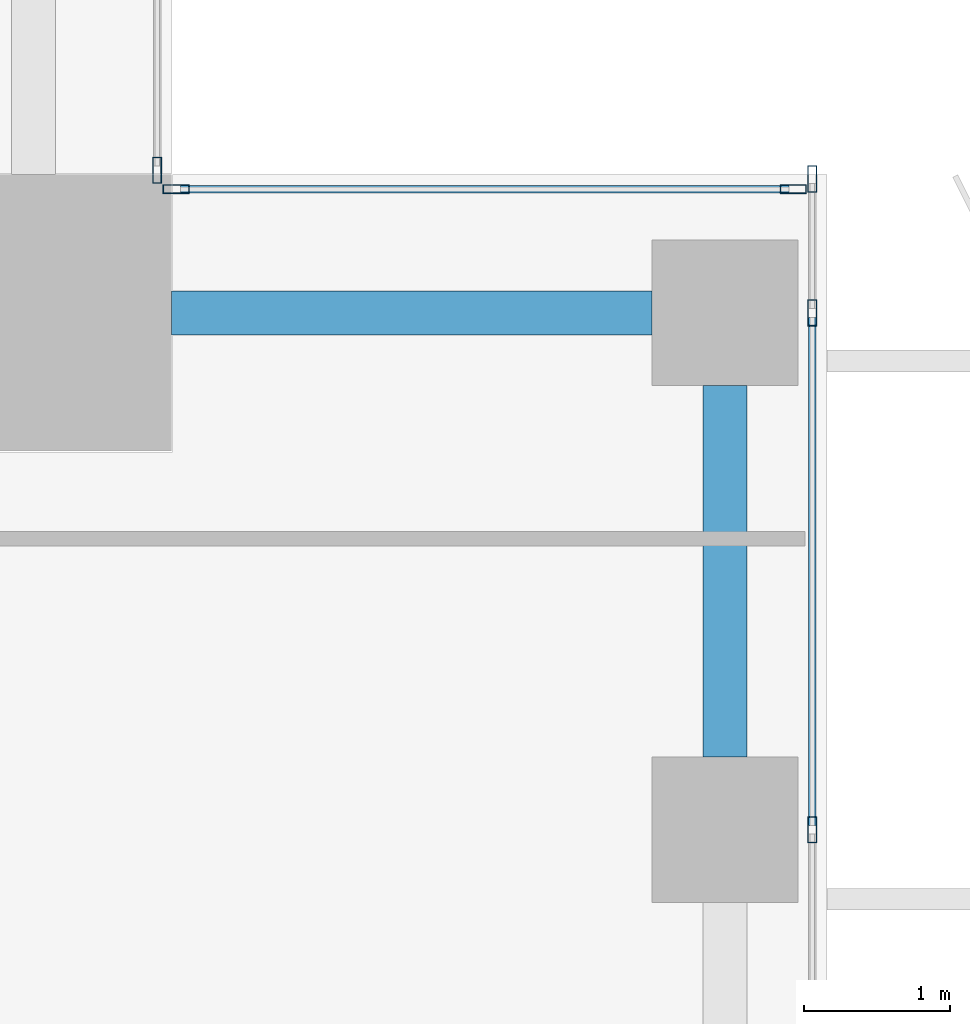
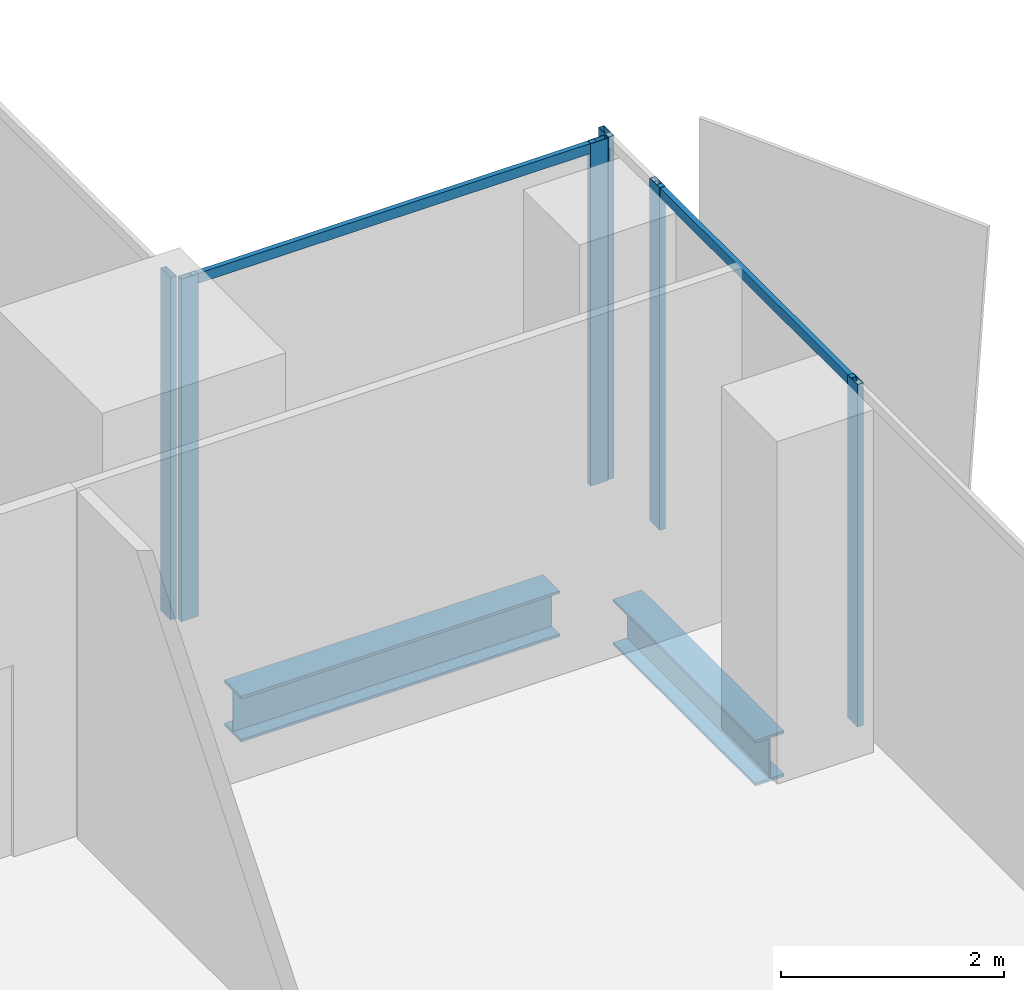
# One storey, part 23 of 38: 8 members, 2 beams, 3 elements without a shape of their own.
"""IFC4 building model written with IfcOpenShell, lengths in metres."""

from ifc_helpers import new_model, si_unit, direction, frame, origin, origin_2d, place, context, subcontext, project, spatial, hollow_rectangle, i_section, extrude, source, transform, mapped, material, material_profile, profile_set, type_object, element, aggregate, save


model = new_model("IFC4")

# Units and contexts
model_context = context("Model", 3, precision=1e-05, world=origin(), true_north=direction((0.0, 1.0)))
body_context = subcontext(model_context, "Body", "Model", "MODEL_VIEW")
ifc_project = project(units=[si_unit("LENGTHUNIT", "METRE"), si_unit("AREAUNIT", "SQUARE_METRE"), si_unit("VOLUMEUNIT", "CUBIC_METRE"), si_unit("PLANEANGLEUNIT", "RADIAN"), si_unit("MASSUNIT", "GRAM", prefix="KILO")], contexts=[model_context])

# Site, building, storey
site_placement = place(None, origin())
site = spatial("IfcSite", under=ifc_project, at=site_placement, CompositionType="ELEMENT")
building_placement = place(site_placement, origin())
building = spatial("IfcBuilding", under=site, at=building_placement, Name="Khomas Fold Tower", CompositionType="ELEMENT")
storey_placement = place(building_placement, frame((0.0, 0.0, 208.699951171875)))
storey = spatial("IfcBuildingStorey", under=building, at=storey_placement, Name="L46", CompositionType="ELEMENT", Elevation=208.699951171875)

# Beams
ifc_material_1 = material(Name="Steel S355", Category="steel")
ifc_material_profile_1 = material_profile(ifc_material_1, i_section(OverallWidth=0.300048828125, OverallDepth=0.5, WebThickness=0.014404296875, FlangeThickness=0.028076171875, at=origin_2d()), Name="HE 500 B")
ifc_profile_set_1 = profile_set([ifc_material_profile_1], Name="Steel S355")
beam_type = type_object("IfcBeamType", Name="HE 500 B spandrel SB3", PredefinedType="SPANDREL", material=ifc_profile_set_1)
shared_shape_1 = source(origin(), body_context, "Body", "SweptSolid", [
    extrude(i_section(OverallWidth=0.300048828125, OverallDepth=0.5, WebThickness=0.014404296875, FlangeThickness=0.028076171875, at=origin_2d()), origin(), (0.0, 0.0, 1.0), 2.550048828125),
])
beam_1_placement = place(storey_placement, frame((50.300048828125, 42.5, -0.5), z_axis=(0.0, 1.0, 0.0), x_axis=(-1.0, 0.0, 0.0)))
element("IfcBeam", 1, at=beam_1_placement, inside=storey, type_object=beam_type, Name="SB3", PredefinedType="SPANDREL", context=body_context, shape_type="MappedRepresentation", body=[
    mapped(shared_shape_1, transform((0.0, 0.0, 0.0))),
])
shared_shape_2 = source(origin(), body_context, "Body", "SweptSolid", [
    extrude(i_section(OverallWidth=0.300048828125, OverallDepth=0.5, WebThickness=0.014404296875, FlangeThickness=0.028076171875, at=origin_2d()), origin(), (0.0, 0.0, 1.0), 3.300048828125),
])
beam_2_placement = place(storey_placement, frame((46.5, 45.550048828125, -0.5), z_axis=(1.0, 0.0, 0.0), x_axis=(0.0, 1.0, 0.0)))
element("IfcBeam", 2, at=beam_2_placement, inside=storey, type_object=beam_type, Name="SB3", PredefinedType="SPANDREL", context=body_context, shape_type="MappedRepresentation", body=[
    mapped(shared_shape_2, transform((0.0, 0.0, 0.0))),
])

# Curtain wall, members
ifc_material_2 = material(Name="Aluminium framed double glazing", Category="aluminium")
curtain_wall_type = type_object("IfcCurtainWallType", Name="SK-Unitised clear-glass wall, office floors CW2", PredefinedType="NOTDEFINED", material=ifc_material_2)
curtain_wall_1_placement = place(storey_placement, origin())
curtain_wall_1 = element("IfcCurtainWall", 3, at=curtain_wall_1_placement, inside=storey, type_object=curtain_wall_type, Name="CW2 run L46 03-0", PredefinedType="NOTDEFINED")
ifc_material_3 = material(Name="Aluminium", Category="aluminium")
ifc_material_profile_2 = material_profile(ifc_material_3, hollow_rectangle(XDim=0.06005859375, YDim=0.179931640625, WallThickness=0.00390625, at=origin_2d()), Name="SK-Unitised clear-glass wall, office floors mullion CW2-M")
ifc_profile_set_2 = profile_set([ifc_material_profile_2], Name="Aluminium")
member_type_1 = type_object("IfcMemberType", Name="SK-Unitised clear-glass wall, office floors mullion CW2-M", PredefinedType="MULLION", material=ifc_profile_set_2)
shared_shape_3 = source(origin(), body_context, "Body", "SweptSolid", [
    extrude(hollow_rectangle(XDim=0.06005859375, YDim=0.179931640625, WallThickness=0.00390625, at=origin_2d()), origin(), (0.0, 0.0, 1.0), 3.75),
])
member_1_placement = place(storey_placement, frame((50.89990234375, 42.0, 0.0), z_axis=(0.0, 0.0, 1.0), x_axis=(-1.0, 0.0, 0.0)))
member_1 = element("IfcMember", 4, at=member_1_placement, type_object=member_type_1, Name="CW2 mullion 7", PredefinedType="MULLION", context=body_context, shape_type="MappedRepresentation", body=[
    mapped(shared_shape_3, transform((0.0, 0.0, 0.0))),
])
member_2_placement = place(storey_placement, frame((50.89990234375, 45.550048828125, 0.0), z_axis=(0.0, 0.0, 1.0), x_axis=(-1.0, 0.0, 0.0)))
member_2 = element("IfcMember", 5, at=member_2_placement, type_object=member_type_1, Name="CW2 mullion 8", PredefinedType="MULLION", context=body_context, shape_type="MappedRepresentation", body=[
    mapped(shared_shape_3, transform((0.0, 0.0, 0.0))),
])
member_3_placement = place(storey_placement, frame((50.89990234375, 46.469970703125, 0.0), z_axis=(0.0, 0.0, 1.0), x_axis=(-1.0, 0.0, 0.0)))
member_3 = element("IfcMember", 6, at=member_3_placement, type_object=member_type_1, Name="CW2 mullion 9", PredefinedType="MULLION", context=body_context, shape_type="MappedRepresentation", body=[
    mapped(shared_shape_3, transform((0.0, 0.0, 0.0))),
])

curtain_wall_2_placement = place(storey_placement, origin())
curtain_wall_2 = element("IfcCurtainWall", 7, at=curtain_wall_2_placement, inside=storey, type_object=curtain_wall_type, Name="CW2 corner return L46 04", PredefinedType="NOTDEFINED")
member_4_placement = place(storey_placement, frame((50.77001953125, 46.39990234375, 0.0), z_axis=(0.0, 0.0, 1.0), x_axis=(0.0, -1.0, 0.0)))
member_4 = element("IfcMember", 8, at=member_4_placement, type_object=member_type_1, Name="CW2 mullion 1", PredefinedType="MULLION", context=body_context, shape_type="MappedRepresentation", body=[
    mapped(shared_shape_3, transform((0.0, 0.0, 0.0))),
])
member_5_placement = place(storey_placement, frame((46.530029296875, 46.39990234375, 0.0), z_axis=(0.0, 0.0, 1.0), x_axis=(0.0, -1.0, 0.0)))
member_5 = element("IfcMember", 9, at=member_5_placement, type_object=member_type_1, Name="CW2 mullion 2", PredefinedType="MULLION", context=body_context, shape_type="MappedRepresentation", body=[
    mapped(shared_shape_3, transform((0.0, 0.0, 0.0))),
])

# Curtain wall, member
curtain_wall_3_placement = place(storey_placement, origin())
curtain_wall_3 = element("IfcCurtainWall", 10, at=curtain_wall_3_placement, inside=storey, type_object=curtain_wall_type, Name="CW2 corner return L46 05", PredefinedType="NOTDEFINED")
member_6_placement = place(storey_placement, frame((46.39990234375, 46.530029296875, 0.0), z_axis=(0.0, 0.0, 1.0), x_axis=(-1.0, 0.0, 0.0)))
member_6 = element("IfcMember", 11, at=member_6_placement, type_object=member_type_1, Name="CW2 mullion 1", PredefinedType="MULLION", context=body_context, shape_type="MappedRepresentation", body=[
    mapped(shared_shape_3, transform((0.0, 0.0, 0.0))),
])
aggregate(curtain_wall_3, [member_6])

# Member
ifc_material_4 = material(Name="Aluminium", Category="aluminium")
ifc_material_profile_3 = material_profile(ifc_material_4, hollow_rectangle(XDim=0.050048828125, YDim=0.110107421875, WallThickness=0.00390625, at=origin_2d()), Name="SK-Unitised clear-glass wall, office floors transom CW2-T")
ifc_profile_set_3 = profile_set([ifc_material_profile_3], Name="Aluminium")
member_type_2 = type_object("IfcMemberType", Name="SK-Unitised clear-glass wall, office floors transom CW2-T", PredefinedType="USERDEFINED", material=ifc_profile_set_3)
shared_shape_4 = source(origin(), body_context, "Body", "SweptSolid", [
    extrude(hollow_rectangle(XDim=0.050048828125, YDim=0.110107421875, WallThickness=0.00390625, at=origin_2d()), origin(), (0.0, 0.0, 1.0), 3.489990234375),
])
member_7_placement = place(storey_placement, frame((50.89990234375, 42.030029296875, 3.695068359375), z_axis=(0.0, 1.0, 0.0), x_axis=(-1.0, 0.0, 0.0)))
member_7 = element("IfcMember", 12, at=member_7_placement, type_object=member_type_2, Name="CW2 transom 7", ObjectType="TRANSOM", PredefinedType="USERDEFINED", context=body_context, shape_type="MappedRepresentation", body=[
    mapped(shared_shape_4, transform((0.0, 0.0, 0.0))),
])

aggregate(curtain_wall_1, [member_1, member_2, member_3, member_7])

shared_shape_5 = source(origin(), body_context, "Body", "SweptSolid", [
    extrude(hollow_rectangle(XDim=0.050048828125, YDim=0.110107421875, WallThickness=0.00390625, at=origin_2d()), origin(), (0.0, 0.0, 1.0), 4.179931640625),
])
member_8_placement = place(storey_placement, frame((50.739990234375, 46.39990234375, 3.695068359375), z_axis=(-1.0, 0.0, 0.0), x_axis=(0.0, -1.0, 0.0)))
member_8 = element("IfcMember", 13, at=member_8_placement, type_object=member_type_2, Name="CW2 transom 1", ObjectType="TRANSOM", PredefinedType="USERDEFINED", context=body_context, shape_type="MappedRepresentation", body=[
    mapped(shared_shape_5, transform((0.0, 0.0, 0.0))),
])

aggregate(curtain_wall_2, [member_4, member_5, member_8])

save(model, "model.ifc")
